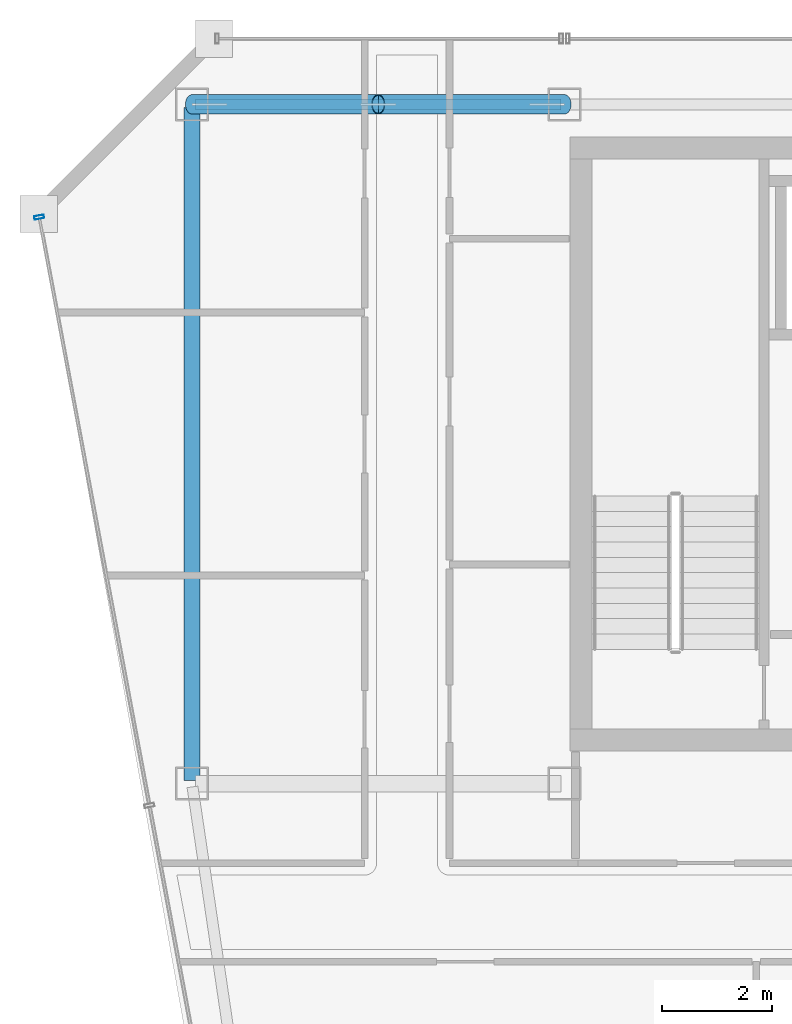
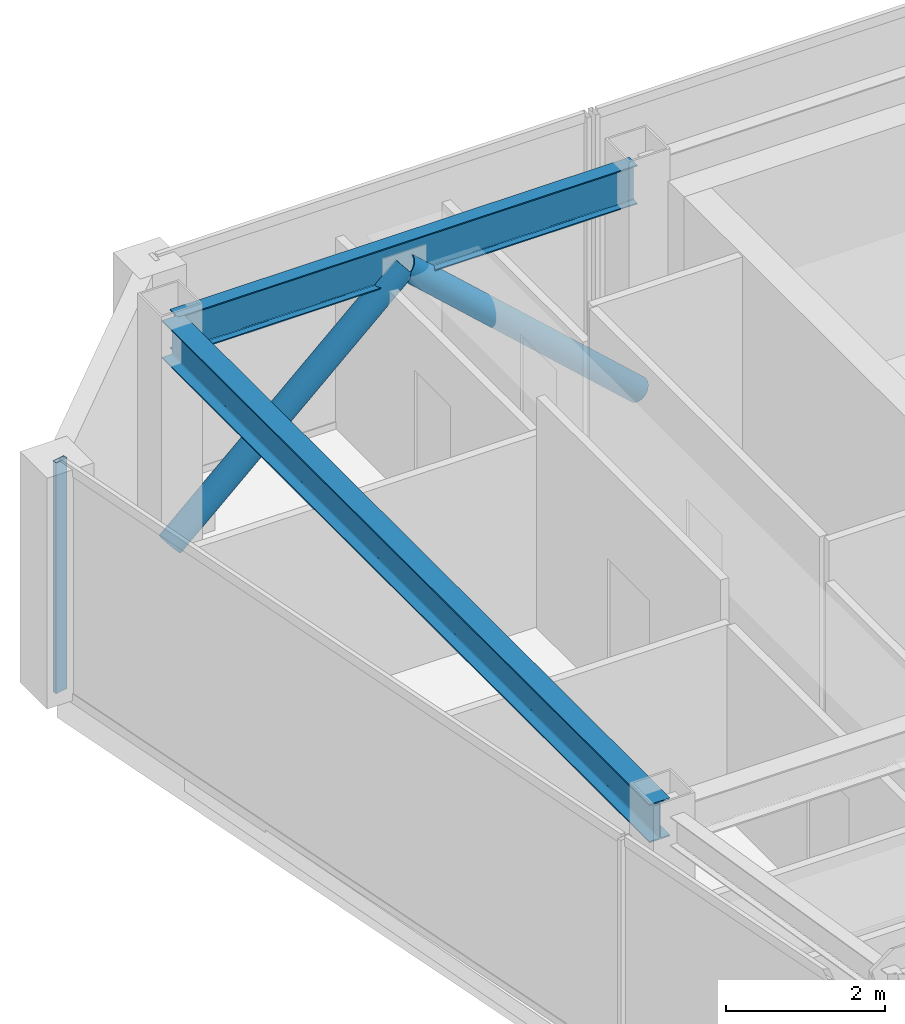
# One storey, part 7 of 25: 3 members, 2 beams, 1 element without a shape of its own.
"""IFC4 building model written with IfcOpenShell, lengths in metres."""

from ifc_helpers import new_model, si_unit, direction, frame, origin, origin_2d, place, context, subcontext, project, spatial, hollow_rectangle, hollow_circle, i_section, extrude, material, material_profile, profile_set, type_object, element, aggregate, save


model = new_model("IFC4")

# Units and contexts
model_context = context("Model", 3, precision=1e-05, world=origin(), true_north=direction((0.0, 1.0)))
body_context = subcontext(model_context, "Body", "Model", "MODEL_VIEW")
ifc_project = project(units=[si_unit("LENGTHUNIT", "METRE"), si_unit("AREAUNIT", "SQUARE_METRE"), si_unit("VOLUMEUNIT", "CUBIC_METRE"), si_unit("PLANEANGLEUNIT", "RADIAN"), si_unit("MASSUNIT", "GRAM", prefix="KILO")], contexts=[model_context])

# Site, building, storey
site_placement = place(None, origin())
site = spatial("IfcSite", under=ifc_project, at=site_placement, CompositionType="ELEMENT")
building_placement = place(site_placement, origin())
building = spatial("IfcBuilding", under=site, at=building_placement, Name="Saevonmaru Cultural Tower", CompositionType="ELEMENT")
storey_placement = place(building_placement, frame((0.0, 0.0, 276.199951171875)))
storey = spatial("IfcBuildingStorey", under=building, at=storey_placement, Name="L65", CompositionType="ELEMENT", Elevation=276.199951171875)

# Beams
ifc_material_1 = material(Name="Steel SM355", Category="steel")
ifc_material_profile_1 = material_profile(ifc_material_1, i_section(OverallWidth=0.300048828125, OverallDepth=0.587890625, WebThickness=0.011962890625, FlangeThickness=0.02001953125, FilletRadius=0.02392578125, at=origin_2d()), Name="H-588x300x12x20")
ifc_profile_set_1 = profile_set([ifc_material_profile_1], Name="Steel SM355")
beam_type_1 = type_object("IfcBeamType", Name="BM-G-H588", PredefinedType="BEAM", material=ifc_profile_set_1)
beam_1_placement = place(storey_placement, frame((6.800048828125, 54.739990234375, 3.256103515625), z_axis=(0.0, -1.0, 0.0), x_axis=(1.0, 0.0, 0.0)))
element("IfcBeam", 1, at=beam_1_placement, inside=storey, type_object=beam_type_1, Name="L65 Spine Transverse Girder W", PredefinedType="BEAM", context=body_context, shape_type="SweptSolid", body=[
    extrude(i_section(OverallWidth=0.300048828125, OverallDepth=0.587890625, WebThickness=0.011962890625, FlangeThickness=0.02001953125, FilletRadius=0.02392578125, at=origin_2d()), origin(), (0.0, 0.0, 1.0), 12.280029296875),
])
ifc_material_profile_2 = material_profile(ifc_material_1, i_section(OverallWidth=0.199951171875, OverallDepth=0.60009765625, WebThickness=0.010986328125, FlangeThickness=0.01708984375, FilletRadius=0.02197265625, at=origin_2d()), Name="H-600x200x11x17")
ifc_profile_set_2 = profile_set([ifc_material_profile_2], Name="Steel SM355")
beam_type_2 = type_object("IfcBeamType", Name="BM-SP-H600", PredefinedType="SPANDREL", material=ifc_profile_set_2)
beam_2_placement = place(storey_placement, frame((6.860107421875, 54.800048828125, 3.25), z_axis=(1.0, 0.0, 0.0), x_axis=(0.0, 1.0, 0.0)))
element("IfcBeam", 2, at=beam_2_placement, inside=storey, type_object=beam_type_2, Name="L65 North Spine Girder 1", PredefinedType="SPANDREL", context=body_context, shape_type="SweptSolid", body=[
    extrude(i_section(OverallWidth=0.199951171875, OverallDepth=0.60009765625, WebThickness=0.010986328125, FlangeThickness=0.01708984375, FilletRadius=0.02197265625, at=origin_2d()), origin(), (0.0, 0.0, 1.0), 6.679931640625),
])

# Members
ifc_material_profile_3 = material_profile(ifc_material_1, hollow_circle(Radius=0.177734375, WallThickness=0.01611328125, at=origin_2d()), Name="CHS-355.6x16")
ifc_profile_set_3 = profile_set([ifc_material_profile_3], Name="Steel SM355")
member_type_1 = type_object("IfcMemberType", Name="MB-PBR-CHS356", PredefinedType="BRACE", material=ifc_profile_set_3)
member_1_placement = place(storey_placement, frame((6.800048828125, 54.800048828125, 0.02001953125), z_axis=(0.738935641579, 0.0, 0.673776014417), x_axis=(0.0, 1.0, 0.0)))
element("IfcMember", 3, at=member_1_placement, inside=storey, type_object=member_type_1, Name="L65 Perimeter Braced-Tube Diagonal WN1", PredefinedType="BRACE", context=body_context, shape_type="SweptSolid", body=[
    extrude(hollow_circle(Radius=0.177734375, WallThickness=0.01611328125, at=origin_2d()), origin(), (0.0, 0.0, 1.0), 4.60107421875),
])
member_2_placement = place(storey_placement, frame((13.60009765625, 54.800048828125, 0.02001953125), z_axis=(-0.738959728749, 0.0, 0.673749596873), x_axis=(0.0, -1.0, 0.0)))
element("IfcMember", 4, at=member_2_placement, inside=storey, type_object=member_type_1, Name="L65 Perimeter Braced-Tube Diagonal WN2", PredefinedType="BRACE", context=body_context, shape_type="SweptSolid", body=[
    extrude(hollow_circle(Radius=0.177734375, WallThickness=0.01611328125, at=origin_2d()), origin(), (0.0, 0.0, 1.0), 4.601318359375),
])

# Curtain wall, member
ifc_material_2 = material(Name="Satin Bronze Anodised Aluminium", Category="aluminium")
curtain_wall_type = type_object("IfcCurtainWallType", Name="CW-TYP-B", PredefinedType="NOTDEFINED", material=ifc_material_2)
curtain_wall_placement = place(storey_placement, origin())
curtain_wall = element("IfcCurtainWall", 5, at=curtain_wall_placement, inside=storey, type_object=curtain_wall_type, Name="L65 Unitised Curtain Wall E12", PredefinedType="NOTDEFINED")
ifc_material_profile_4 = material_profile(ifc_material_2, hollow_rectangle(XDim=0.06494140625, YDim=0.179931640625, WallThickness=0.00390625, at=origin_2d()), Name="ALU-MULL-180x65x4")
ifc_profile_set_4 = profile_set([ifc_material_profile_4], Name="Satin Bronze Anodised Aluminium")
member_type_2 = type_object("IfcMemberType", Name="ML-CW-180x65", PredefinedType="MULLION", material=ifc_profile_set_4)
member_3_placement = place(storey_placement, frame((4.010986328125, 52.740966796875, 0.0), z_axis=(0.0, 0.0, 1.0), x_axis=(0.184046528232, -0.982917532373, 0.0)))
member_3 = element("IfcMember", 6, at=member_3_placement, type_object=member_type_2, Name="CW-TW-L65-E12 mullion 1", PredefinedType="MULLION", context=body_context, shape_type="SweptSolid", body=[
    extrude(hollow_rectangle(XDim=0.06494140625, YDim=0.179931640625, WallThickness=0.00390625, at=origin_2d()), origin(), (0.0, 0.0, 1.0), 3.550048828125),
])
aggregate(curtain_wall, [member_3])

save(model, "model.ifc")
